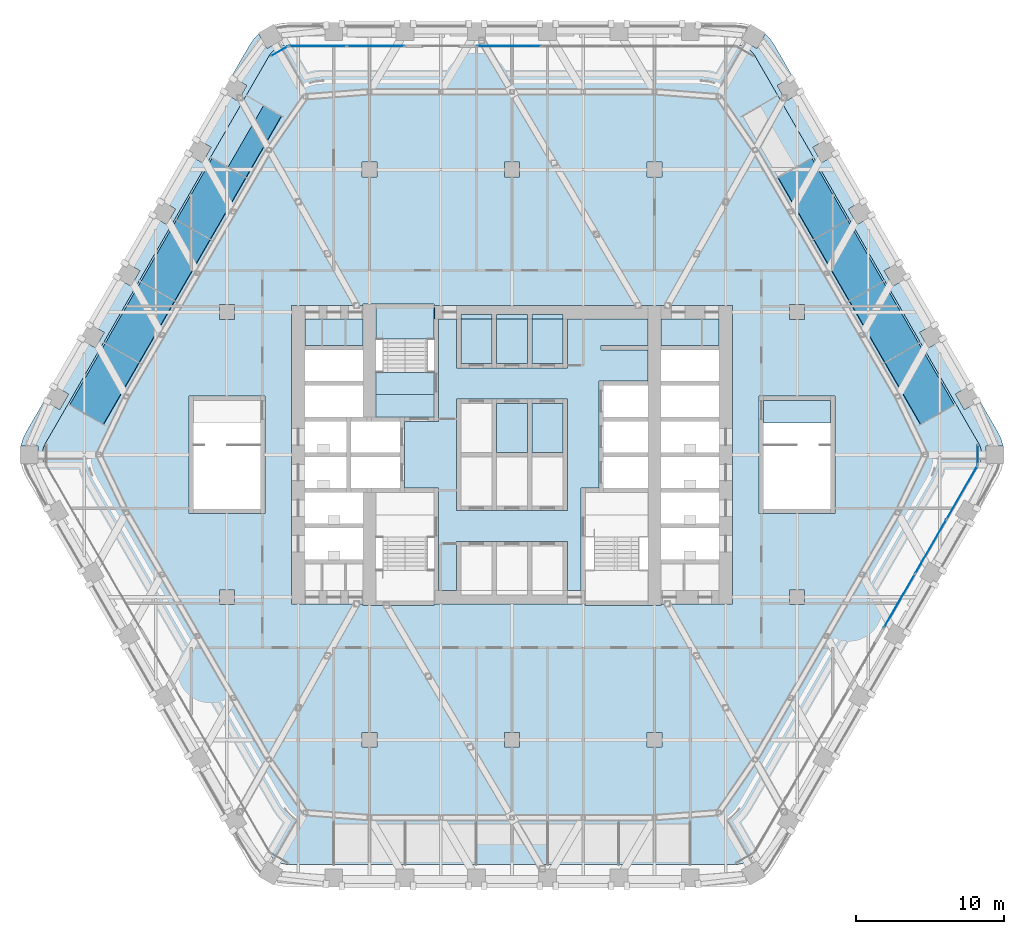
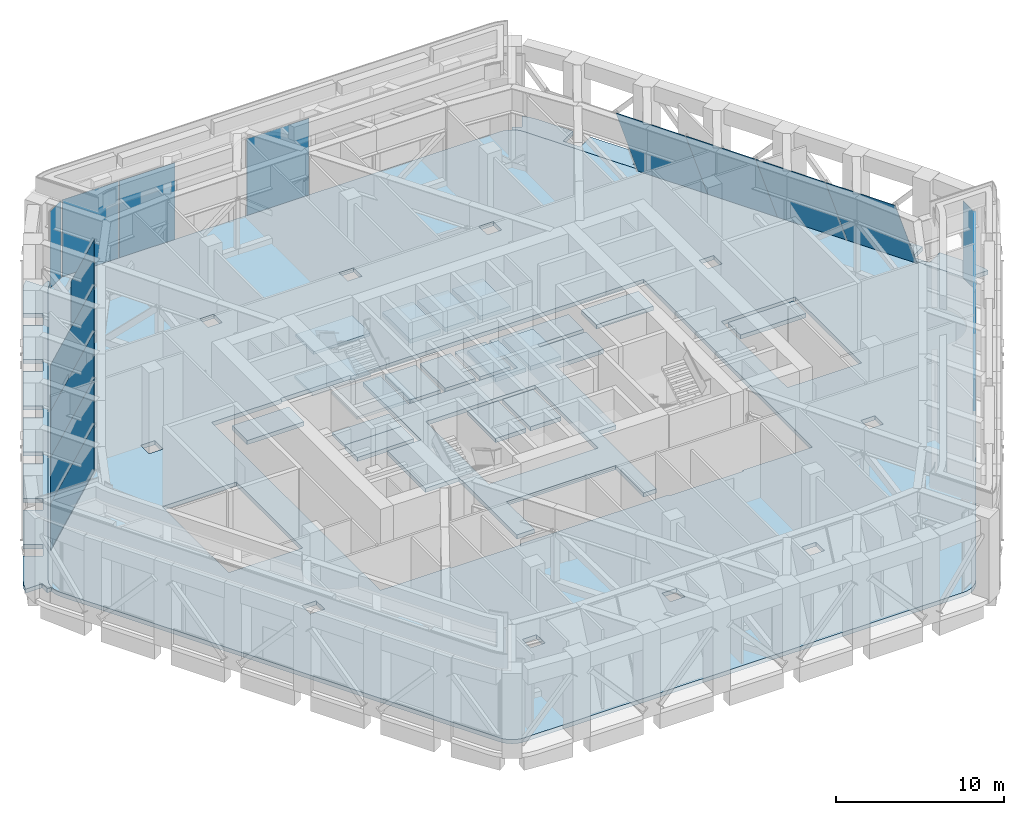
# One storey, part 14 of 27: 22 slabs, 17 plates, 8 elements without a shape of their own.
"""IFC4 building model written with IfcOpenShell, lengths in metres."""

import ifcopenshell
import ifcopenshell.guid

model = None  # the IFC model being written
_history = None  # IfcOwnerHistory: only IFC2X3 demands one
_inside = {}  # id of a spatial element -> (the spatial element, [elements in it])
_under = {}  # id of a project, library or spatial element -> (it, [spatial elements below it])
_declared = {}  # id of a project -> (the project, [libraries it declares])
_typed = {}  # id of a type object -> (the type object, [elements of that type])
_made_of = {}  # id of a material, layer set ... -> (it, [elements and type objects made of it])


def new_model(schema):
    """Start an empty IFC model of exactly this schema.

    Asked for "IFC4X3", IfcOpenShell would pick the latest addendum, in which some entities
    have other attributes; the version numbers below select the first issue.
    IFC2X3 requires an IfcOwnerHistory on every rooted entity: one is made here for all.
    """
    global model, _history
    if schema == "IFC4X3":
        model = ifcopenshell.file(schema_version=(4, 3, 0, 0))
    else:
        model = ifcopenshell.file(schema=schema)
    _inside.clear()
    _under.clear()
    _declared.clear()
    _typed.clear()
    _made_of.clear()
    _history = None
    if model.schema == "IFC2X3":
        org = make("IfcOrganization", Name="unknown")
        user = make(
            "IfcPersonAndOrganization",
            ThePerson=make("IfcPerson", FamilyName="unknown"),
            TheOrganization=org,
        )
        app = make(
            "IfcApplication",
            ApplicationDeveloper=org,
            Version="unknown",
            ApplicationFullName="unknown",
            ApplicationIdentifier="unknown",
        )
        _history = make(
            "IfcOwnerHistory",
            OwningUser=user,
            OwningApplication=app,
            ChangeAction="ADDED",
            CreationDate=0,
        )
    return model


def make(cls, **values):
    """One entity of the class cls with the attributes given. An attribute that is None is left unset."""
    return model.create_entity(
        cls, **{name: value for name, value in values.items() if value is not None}
    )


def rooted(cls, **values):
    """An entity with a GlobalId (a new one), such as an element, a storey or a relation."""
    return make(cls, GlobalId=ifcopenshell.guid.new(), OwnerHistory=_history, **values)


def si_unit(unit_type, name, prefix=None):
    """IfcSIUnit, for example si_unit("LENGTHUNIT", "METRE", prefix="MILLI")."""
    return make("IfcSIUnit", UnitType=unit_type, Prefix=prefix, Name=name)


def assignment(units):
    """IfcUnitAssignment: the units of a project."""
    return None if units is None else make("IfcUnitAssignment", Units=units)


def point(xyz):
    """IfcCartesianPoint."""
    return None if xyz is None else make("IfcCartesianPoint", Coordinates=xyz)


def direction(xyz):
    """IfcDirection."""
    return None if xyz is None else make("IfcDirection", DirectionRatios=xyz)


def frame(location, z_axis=None, x_axis=None):
    """IfcAxis2Placement3D, a coordinate frame: its origin and axes. An axis left out is left unset."""
    return make(
        "IfcAxis2Placement3D",
        Location=point(location),
        Axis=direction(z_axis),
        RefDirection=direction(x_axis),
    )


def frame_2d(location, x_axis=None):
    """IfcAxis2Placement2D, a coordinate frame in the plane: its origin and x axis."""
    return make(
        "IfcAxis2Placement2D", Location=point(location), RefDirection=direction(x_axis)
    )


def origin():
    """The frame at (0, 0, 0) with its axes left unset."""
    return frame((0.0, 0.0, 0.0))


def origin_2d():
    """The frame at (0, 0) in the plane with its x axis left unset."""
    return frame_2d((0.0, 0.0))


def place(relative_to, where):
    """IfcLocalPlacement: puts the frame where relative to a parent placement (None: the world)."""
    return make(
        "IfcLocalPlacement", PlacementRelTo=relative_to, RelativePlacement=where
    )


def context(
    kind, dimensions, precision=None, world=None, true_north=None, identifier=None
):
    """IfcGeometricRepresentationContext, for example the 3D "Model" context."""
    return make(
        "IfcGeometricRepresentationContext",
        ContextIdentifier=identifier,
        ContextType=kind,
        CoordinateSpaceDimension=dimensions,
        Precision=precision,
        WorldCoordinateSystem=world,
        TrueNorth=true_north,
    )


def subcontext(parent, identifier, kind, view, scale=None):
    """IfcGeometricRepresentationSubContext, for example "Body" below "Model"."""
    return make(
        "IfcGeometricRepresentationSubContext",
        ContextIdentifier=identifier,
        ContextType=kind,
        ParentContext=parent,
        TargetScale=scale,
        TargetView=view,
    )


def project(units=None, contexts=None):
    """IfcProject with its units and contexts."""
    return rooted(
        "IfcProject",
        Name="project",
        RepresentationContexts=contexts,
        UnitsInContext=assignment(units),
    )


def spatial(cls, under=None, at=None, **own):
    """A site, building, storey or space (cls), placed at a placement, below another one or the project."""
    s = rooted(cls, ObjectPlacement=at, **own)
    if under is not None:
        _under.setdefault(under.id(), (under, []))[1].append(s)
    return s


def polyline(points):
    """IfcPolyline through the points."""
    return make("IfcPolyline", Points=[point(p) for p in points])


def profile(cls, at=None, kind="AREA", **sizes):
    """A parametric profile (cls). Its sizes go by their IFC names, for example OverallWidth=200.0."""
    return make(cls, ProfileType=kind, Position=at, **sizes)


def rectangle(**sizes):
    """IfcRectangleProfileDef."""
    return profile("IfcRectangleProfileDef", **sizes)


def outline(outer, holes=None, kind="AREA"):
    """IfcArbitraryClosedProfileDef: a profile drawn as a closed curve; with holes, ...WithVoids."""
    if holes is None:
        return make("IfcArbitraryClosedProfileDef", ProfileType=kind, OuterCurve=outer)
    return make(
        "IfcArbitraryProfileDefWithVoids",
        ProfileType=kind,
        OuterCurve=outer,
        InnerCurves=holes,
    )


def extrude(swept, where, along, depth):
    """IfcExtrudedAreaSolid: the profile swept, set in the frame where, extruded along a direction by depth."""
    return make(
        "IfcExtrudedAreaSolid",
        SweptArea=swept,
        Position=where,
        ExtrudedDirection=direction(along),
        Depth=depth,
    )


def shape(context_of_items, identifier, shape_type, items):
    """IfcShapeRepresentation: the items that make up one representation, for example the "Body"."""
    return make(
        "IfcShapeRepresentation",
        ContextOfItems=context_of_items,
        RepresentationIdentifier=identifier,
        RepresentationType=shape_type,
        Items=items,
    )


def material(Name=None, Category=None):
    """IfcMaterial."""
    return make("IfcMaterial", Name=Name, Category=Category)


def layer(
    of_material, thickness, ventilated=None, Name=None, Category=None, Priority=None
):
    """IfcMaterialLayer: one layer of a wall or slab, of a material (None: an air gap)."""
    return make(
        "IfcMaterialLayer",
        Material=of_material,
        LayerThickness=thickness,
        IsVentilated=ventilated,
        Name=Name,
        Category=Category,
        Priority=Priority,
    )


def layer_set(layers, Name=None):
    """IfcMaterialLayerSet."""
    return make("IfcMaterialLayerSet", MaterialLayers=layers, LayerSetName=Name)


def made_of(thing, what):
    """Note that an element or type object is made of a material, layer set ...; save() writes the relation."""
    if what is not None:
        _made_of.setdefault(what.id(), (what, []))[1].append(thing)
    return thing


def type_object(cls, material=None, **own):
    """A type object (cls), such as IfcWallType, which elements share."""
    return made_of(rooted(cls, **own), material)


def element(
    cls,
    number,
    at=None,
    inside=None,
    cuts=None,
    type_object=None,
    material=None,
    context=None,
    identifier="Body",
    shape_type=None,
    held_by="IfcProductDefinitionShape",
    body=None,
    shapes=None,
    **own,
):
    """One element of the class cls, such as IfcWall. Its Tag is "e" and its number.

    at: its placement. inside: the storey or other place that contains it. cuts: it is an
    opening in that element (IfcRelVoidsElement). A single representation is given by context,
    identifier, shape_type and body (its items); several are given by shapes. held_by: the class
    of the entity that holds the representations. save() writes the other relations.
    """
    e = rooted(cls, Tag="e%d" % number, ObjectPlacement=at, **own)
    if body is not None:
        shapes = [shape(context, identifier, shape_type, body)]
    if shapes is not None:
        e.Representation = make(held_by, Representations=shapes)
    if inside is not None:
        _inside.setdefault(inside.id(), (inside, []))[1].append(e)
    if cuts is not None:
        rooted(
            "IfcRelVoidsElement", RelatingBuildingElement=cuts, RelatedOpeningElement=e
        )
    if type_object is not None:
        _typed.setdefault(type_object.id(), (type_object, []))[1].append(e)
    return made_of(e, material)


def aggregate(whole, parts):
    """IfcRelAggregates: a whole, such as a stair, and the parts it consists of."""
    return rooted("IfcRelAggregates", RelatingObject=whole, RelatedObjects=parts)


def save(model, path):
    """Write the relations noted so far, then the file.

    IfcRelAggregates (storeys below a building ...), IfcRelContainedInSpatialStructure (elements
    in a storey), IfcRelDefinesByType, IfcRelAssociatesMaterial and IfcRelDeclares: one each for
    every whole, place, type object, material and project.
    """
    for whole, parts in _under.values():
        aggregate(whole, parts)
    for where, things in _inside.values():
        rooted(
            "IfcRelContainedInSpatialStructure",
            RelatedElements=things,
            RelatingStructure=where,
        )
    for kind, things in _typed.values():
        rooted("IfcRelDefinesByType", RelatedObjects=things, RelatingType=kind)
    for what, things in _made_of.values():
        rooted("IfcRelAssociatesMaterial", RelatedObjects=things, RelatingMaterial=what)
    for by, libraries in _declared.values():
        rooted("IfcRelDeclares", RelatingContext=by, RelatedDefinitions=libraries)
    model.write(path)


model = new_model("IFC4")

# Units and contexts
model_context = context("Model", 3, precision=1e-05, world=origin(), true_north=direction((0.0, 1.0)))
body_context = subcontext(model_context, "Body", "Model", "MODEL_VIEW")
ifc_project = project(units=[si_unit("LENGTHUNIT", "METRE"), si_unit("AREAUNIT", "SQUARE_METRE"), si_unit("VOLUMEUNIT", "CUBIC_METRE"), si_unit("PLANEANGLEUNIT", "RADIAN"), si_unit("MASSUNIT", "GRAM", prefix="KILO")], contexts=[model_context])

# Site, building, storey
site_placement = place(None, origin())
site = spatial("IfcSite", under=ifc_project, at=site_placement, CompositionType="ELEMENT")
building_placement = place(site_placement, origin())
building = spatial("IfcBuilding", under=site, at=building_placement, Name="Kolab Exchange Tower", CompositionType="ELEMENT")
storey_placement = place(building_placement, frame((0.0, 0.0, 127.39990234375)))
storey = spatial("IfcBuildingStorey", under=building, at=storey_placement, Name="L25", CompositionType="ELEMENT", Elevation=127.39990234375)

# Curtain wall, plates
ifc_material_1 = material(Name="Aluminium EN AW-6063 T6", Category="aluminium")
curtain_wall_type_1 = type_object("IfcCurtainWallType", Name="CANTED BAND CURTAIN WALL", PredefinedType="NOTDEFINED", material=ifc_material_1)
curtain_wall_1_placement = place(storey_placement, origin())
curtain_wall_1 = element("IfcCurtainWall", 1, at=curtain_wall_1_placement, inside=storey, type_object=curtain_wall_type_1, Name="band/L25/F2", PredefinedType="NOTDEFINED")
ifc_layer_1 = layer(ifc_material_1, 0.031982421875)
ifc_layer_set_1 = layer_set([ifc_layer_1], Name="Aluminium EN AW-6063 T6")
plate_type_1 = type_object("IfcPlateType", Name="CANTED BAND LOUVRE PANEL 32", PredefinedType="CURTAIN_PANEL", material=ifc_layer_set_1)
plate_1_placement = place(storey_placement, frame((20.192626953125, 19.97216796875, 0.0), z_axis=(0.789543411339, 0.455864290648, 0.410863663669), x_axis=(0.500017431331, -0.866015339567, 0.0)))
plate_1 = element("IfcPlate", 2, at=plate_1_placement, type_object=plate_type_1, Name="Band louvre panel", PredefinedType="CURTAIN_PANEL", context=body_context, shape_type="SweptSolid", body=[
    extrude(outline(polyline([(0.0, 0.0), (4.800125623588972, 1.1102230246251565e-16), (4.800032481351556, -6.36181770787622), (-9.314223741605604e-05, -6.36181770787622), (0.0, 0.0)])), origin(), (0.0, 0.0, -1.0), 0.031982421875),
])
plate_2_placement = place(storey_placement, frame((22.5927734375, 15.815185546875, 0.0), z_axis=(0.789563490305, 0.455829512521, 0.410863663873), x_axis=(0.499979284789, -0.866037363387, 0.0)))
plate_2 = element("IfcPlate", 3, at=plate_2_placement, type_object=plate_type_1, Name="Band louvre panel", PredefinedType="CURTAIN_PANEL", context=body_context, shape_type="SweptSolid", body=[
    extrude(outline(polyline([(0.0, 0.0), (4.800003553677277, 0.0), (4.8000255452913905, -6.361817708520049), (2.1991614113848587e-05, -6.361817708520049), (0.0, 0.0)])), origin(), (0.0, 0.0, -1.0), 0.031982421875),
])
plate_3_placement = place(storey_placement, frame((24.99267578125, 11.658203125, 0.0), z_axis=(0.789563490305, 0.455829512521, 0.410863663873), x_axis=(0.499979284789, -0.866037363387, 0.0)))
plate_3 = element("IfcPlate", 4, at=plate_3_placement, type_object=plate_type_1, Name="Band louvre panel", PredefinedType="CURTAIN_PANEL", context=body_context, shape_type="SweptSolid", body=[
    extrude(outline(polyline([(0.0, 0.0), (4.800003553677277, 0.0), (4.8000255452913905, -6.361817708520049), (2.1991614113848587e-05, -6.361817708520049), (0.0, 0.0)])), origin(), (0.0, 0.0, -1.0), 0.031982421875),
])
plate_4_placement = place(storey_placement, frame((27.392578125, 7.501220703125, 0.0), z_axis=(0.789534502145, 0.455872533438, 0.410871638324), x_axis=(0.500030302691, -0.866007907798, -4.7635e-06)))
plate_4 = element("IfcPlate", 5, at=plate_4_placement, type_object=plate_type_1, Name="Band louvre panel", PredefinedType="CURTAIN_PANEL", context=body_context, shape_type="SweptSolid", body=[
    extrude(outline(polyline([(0.0, 0.0), (4.799914195292466, -1.1102230246251565e-16), (4.799966003234158, -6.361867865499385), (-0.00015961977017212692, -6.3618177063122205), (0.0, 0.0)])), origin(), (0.0, 0.0, -1.0), 0.031982421875),
])
aggregate(curtain_wall_1, [plate_1, plate_2, plate_3, plate_4])

curtain_wall_2_placement = place(storey_placement, origin())
curtain_wall_2 = element("IfcCurtainWall", 6, at=curtain_wall_2_placement, inside=storey, type_object=curtain_wall_type_1, Name="band/L25/F6", PredefinedType="NOTDEFINED")
plate_5_placement = place(storey_placement, frame((-29.792724609375, 3.344482421875, 0.0), z_axis=(-0.789534502145, 0.455872533438, 0.410871638324), x_axis=(0.500030302691, 0.866007907798, 4.7635e-06)))
plate_5 = element("IfcPlate", 7, at=plate_5_placement, type_object=plate_type_1, Name="Band louvre panel", PredefinedType="CURTAIN_PANEL", context=body_context, shape_type="SweptSolid", body=[
    extrude(outline(polyline([(0.0, 0.0), (4.799914195292466, 1.1102230246251565e-16), (4.800073815062638, -6.361817706312221), (-5.1807941692648665e-05, -6.361867865499385), (0.0, 0.0)])), origin(), (0.0, 0.0, -1.0), 0.031982421875),
])
plate_6_placement = place(storey_placement, frame((-27.392578125, 7.501220703125, 0.0), z_axis=(-0.789563490305, 0.455829512521, 0.410863663873), x_axis=(0.499979284789, 0.866037363387, 0.0)))
plate_6 = element("IfcPlate", 8, at=plate_6_placement, type_object=plate_type_1, Name="Band louvre panel", PredefinedType="CURTAIN_PANEL", context=body_context, shape_type="SweptSolid", body=[
    extrude(outline(polyline([(0.0, 0.0), (4.800003553677277, 0.0), (4.799981562063163, -6.361817708520049), (-2.1991614113848587e-05, -6.361817708520049), (0.0, 0.0)])), origin(), (0.0, 0.0, -1.0), 0.031982421875),
])
plate_7_placement = place(storey_placement, frame((-24.99267578125, 11.658203125, 0.0), z_axis=(-0.789563490305, 0.455829512521, 0.410863663873), x_axis=(0.499979284789, 0.866037363387, 0.0)))
plate_7 = element("IfcPlate", 9, at=plate_7_placement, type_object=plate_type_1, Name="Band louvre panel", PredefinedType="CURTAIN_PANEL", context=body_context, shape_type="SweptSolid", body=[
    extrude(outline(polyline([(0.0, 0.0), (4.800003553677277, 0.0), (4.799981562063163, -6.361817708520049), (-2.1991614113848587e-05, -6.361817708520049), (0.0, 0.0)])), origin(), (0.0, 0.0, -1.0), 0.031982421875),
])
plate_8_placement = place(storey_placement, frame((-22.5927734375, 15.815185546875, 0.0), z_axis=(-0.789543411339, 0.455864290648, 0.410863663669), x_axis=(0.500017431331, 0.866015339567, 0.0)))
plate_8 = element("IfcPlate", 10, at=plate_8_placement, type_object=plate_type_1, Name="Band louvre panel", PredefinedType="CURTAIN_PANEL", context=body_context, shape_type="SweptSolid", body=[
    extrude(outline(polyline([(0.0, 0.0), (4.800125623588972, -1.1102230246251565e-16), (4.800218765826388, -6.361817707876221), (9.314223741605604e-05, -6.36181770787622), (0.0, 0.0)])), origin(), (0.0, 0.0, -1.0), 0.031982421875),
])
plate_9_placement = place(storey_placement, frame((-19.130126953125, 19.358642578125, 2.72265625), z_axis=(-0.789544835727, 0.455832128459, 0.4108966087), x_axis=(0.499988437543, 0.866032079256, -4.763279e-06)))
plate_9 = element("IfcPlate", 11, at=plate_9_placement, type_object=plate_type_1, Name="Band louvre panel", PredefinedType="CURTAIN_PANEL", context=body_context, shape_type="SweptSolid", body=[
    extrude(outline(polyline([(0.0, 0.0), (4.800003553354755, -1.1102230246251565e-16), (4.799878049062552, -3.37553621980711), (8.592932089611523e-05, -3.375486063607756), (0.0, 0.0)])), origin(), (0.0, 0.0, -1.0), 0.031982421875),
])
aggregate(curtain_wall_2, [plate_5, plate_6, plate_7, plate_8, plate_9])

# Slabs
ifc_material_2 = material(Name="Concrete C35/45", Category="concrete")
ifc_layer_2 = layer(ifc_material_2, 0.300048828125)
ifc_layer_set_2 = layer_set([ifc_layer_2], Name="Concrete C35/45")
slab_type_1 = type_object("IfcSlabType", Name="FLOOR SLAB 300", PredefinedType="FLOOR", material=ifc_layer_set_2)
slab_1_placement = place(storey_placement, frame((0.0, 0.0, -0.2998046875)))
element("IfcSlab", 12, at=slab_1_placement, inside=storey, type_object=slab_type_1, Name="slab/L25/floor/0", PredefinedType="FLOOR", context=body_context, shape_type="SweptSolid", body=[
    extrude(outline(polyline([(16.366943359375, -26.848388671875), (31.434814453125, -0.75), (31.54541015625, -0.512939453125), (31.613037109375, -0.260498046875), (31.635986328125, 0.0), (31.613037109375, 0.260498046875), (31.54541015625, 0.512939453125), (31.434814453125, 0.75), (16.366943359375, 26.848388671875), (16.217041015625, 27.062744140625), (16.0322265625, 27.24755859375), (15.81787109375, 27.3974609375), (15.5810546875, 27.508056640625), (15.328369140625, 27.57568359375), (15.06787109375, 27.598388671875), (-15.06787109375, 27.598388671875), (-15.328369140625, 27.57568359375), (-15.5810546875, 27.508056640625), (-15.81787109375, 27.3974609375), (-16.0322265625, 27.24755859375), (-16.217041015625, 27.062744140625), (-16.366943359375, 26.848388671875), (-31.434814453125, 0.75), (-31.54541015625, 0.512939453125), (-31.613037109375, 0.260498046875), (-31.635986328125, 0.0), (-31.613037109375, -0.260498046875), (-31.54541015625, -0.512939453125), (-31.434814453125, -0.75), (-16.366943359375, -26.848388671875), (-16.217041015625, -27.062744140625), (-16.0322265625, -27.24755859375), (-15.81787109375, -27.3974609375), (-15.5810546875, -27.508056640625), (-15.328369140625, -27.57568359375), (-15.06787109375, -27.598388671875), (15.06787109375, -27.598388671875), (15.328369140625, -27.57568359375), (15.5810546875, -27.508056640625), (15.81787109375, -27.3974609375), (16.0322265625, -27.24755859375), (16.217041015625, -27.062744140625), (16.366943359375, -26.848388671875)]), holes=[polyline([(-13.949951171875, -10.050048828125), (-14.85009765625, -10.050048828125), (-14.85009765625, 10.050048828125), (-13.949951171875, 10.050048828125), (-10.050048828125, 10.050048828125), (-10.050048828125, 10.14990234375), (-9.14990234375, 10.14990234375), (-5.25, 10.14990234375), (-5.25, 10.050048828125), (9.14990234375, 10.050048828125), (10.050048828125, 10.050048828125), (13.949951171875, 10.050048828125), (14.85009765625, 10.050048828125), (14.85009765625, -10.050048828125), (13.949951171875, -10.050048828125), (10.050048828125, -10.050048828125), (10.050048828125, -10.14990234375), (9.14990234375, -10.14990234375), (4.949951171875, -10.14990234375), (4.949951171875, -10.050048828125), (-5.25, -10.050048828125), (-5.25, -10.14990234375), (-9.14990234375, -10.14990234375), (-10.050048828125, -10.14990234375), (-10.050048828125, -10.050048828125), (-13.949951171875, -10.050048828125)]), polyline([(-18.699951171875, -9.10009765625), (-18.699951171875, -10.10009765625), (-19.699951171875, -10.10009765625), (-19.699951171875, -9.10009765625), (-18.699951171875, -9.10009765625)]), polyline([(-21.449951171875, -3.949951171875), (-21.75, -3.949951171875), (-21.75, 3.949951171875), (-21.449951171875, 3.949951171875), (-16.949951171875, 3.949951171875), (-16.64990234375, 3.949951171875), (-16.64990234375, -3.949951171875), (-16.949951171875, -3.949951171875), (-21.449951171875, -3.949951171875)]), polyline([(-18.699951171875, 10.10009765625), (-18.699951171875, 9.10009765625), (-19.699951171875, 9.10009765625), (-19.699951171875, 10.10009765625), (-18.699951171875, 10.10009765625)]), polyline([(-9.10009765625, -18.699951171875), (-9.10009765625, -19.699951171875), (-10.10009765625, -19.699951171875), (-10.10009765625, -18.699951171875), (-9.10009765625, -18.699951171875)]), polyline([(-9.10009765625, 19.699951171875), (-9.10009765625, 18.699951171875), (-10.10009765625, 18.699951171875), (-10.10009765625, 19.699951171875), (-9.10009765625, 19.699951171875)]), polyline([(9.10009765625, -18.699951171875), (10.10009765625, -18.699951171875), (10.10009765625, -19.699951171875), (9.10009765625, -19.699951171875), (9.10009765625, -18.699951171875)]), polyline([(-0.5, -18.699951171875), (0.5, -18.699951171875), (0.5, -19.699951171875), (-0.5, -19.699951171875), (-0.5, -18.699951171875)]), polyline([(0.5, 19.699951171875), (0.5, 18.699951171875), (-0.5, 18.699951171875), (-0.5, 19.699951171875), (0.5, 19.699951171875)]), polyline([(10.10009765625, 19.699951171875), (10.10009765625, 18.699951171875), (9.10009765625, 18.699951171875), (9.10009765625, 19.699951171875), (10.10009765625, 19.699951171875)]), polyline([(19.699951171875, -9.10009765625), (19.699951171875, -10.10009765625), (18.699951171875, -10.10009765625), (18.699951171875, -9.10009765625), (19.699951171875, -9.10009765625)]), polyline([(21.449951171875, 3.949951171875), (21.75, 3.949951171875), (21.75, -3.949951171875), (21.449951171875, -3.949951171875), (16.949951171875, -3.949951171875), (16.64990234375, -3.949951171875), (16.64990234375, 3.949951171875), (16.949951171875, 3.949951171875), (21.449951171875, 3.949951171875)]), polyline([(19.699951171875, 10.10009765625), (19.699951171875, 9.10009765625), (18.699951171875, 9.10009765625), (18.699951171875, 10.10009765625), (19.699951171875, 10.10009765625)])]), origin(), (0.0, 0.0, 1.0), 0.2998046875),
])
slab_2_placement = place(storey_placement, frame((0.0, 0.0, -0.2998046875)))
element("IfcSlab", 13, at=slab_2_placement, inside=storey, type_object=slab_type_1, Name="slab/L25/floor/1", PredefinedType="FLOOR", context=body_context, shape_type="SweptSolid", body=[
    extrude(outline(polyline([(-4.949951171875, 9.14990234375), (-4.949951171875, 2.25), (-5.25, 2.25), (-7.25, 2.25), (-7.25, -2.25), (-5.25, -2.25), (-4.949951171875, -2.25), (-4.949951171875, -9.14990234375), (-3.75, -9.14990234375), (-3.75, -5.85009765625), (-3.449951171875, -5.85009765625), (-1.35009765625, -5.85009765625), (-1.050048828125, -5.85009765625), (1.050048828125, -5.85009765625), (1.35009765625, -5.85009765625), (3.449951171875, -5.85009765625), (3.75, -5.85009765625), (3.75, -9.14990234375), (4.64990234375, -9.14990234375), (4.64990234375, -2.25), (4.949951171875, -2.25), (5.85009765625, -2.25), (5.85009765625, 4.949951171875), (6.14990234375, 4.949951171875), (9.14990234375, 4.949951171875), (9.14990234375, 7.050048828125), (6.0, 7.050048828125), (6.0, 7.35009765625), (9.14990234375, 7.35009765625), (9.14990234375, 9.14990234375), (3.75, 9.14990234375), (3.75, 5.85009765625), (3.449951171875, 5.85009765625), (1.35009765625, 5.85009765625), (1.050048828125, 5.85009765625), (-1.050048828125, 5.85009765625), (-1.35009765625, 5.85009765625), (-3.449951171875, 5.85009765625), (-3.75, 5.85009765625), (-3.75, 9.14990234375), (-4.949951171875, 9.14990234375)]), holes=[polyline([(-3.75, -3.75), (-3.75, 3.75), (-3.449951171875, 3.75), (-1.35009765625, 3.75), (-1.050048828125, 3.75), (1.050048828125, 3.75), (1.35009765625, 3.75), (3.449951171875, 3.75), (3.75, 3.75), (3.75, -3.75), (3.449951171875, -3.75), (1.35009765625, -3.75), (1.050048828125, -3.75), (-1.050048828125, -3.75), (-1.35009765625, -3.75), (-3.449951171875, -3.75), (-3.75, -3.75)])]), origin(), (0.0, 0.0, 1.0), 0.2998046875),
])
slab_3_placement = place(storey_placement, frame((0.0, 0.0, -0.2998046875)))
element("IfcSlab", 14, at=slab_3_placement, inside=storey, type_object=slab_type_1, Name="slab/L25/floor/3", PredefinedType="FLOOR", context=body_context, shape_type="SweptSolid", body=[
    extrude(outline(polyline([(-10.050048828125, 9.14990234375), (-13.949951171875, 9.14990234375), (-13.949951171875, 7.35009765625), (-10.050048828125, 7.35009765625), (-10.050048828125, 9.14990234375)])), origin(), (0.0, 0.0, 1.0), 0.2998046875),
])
slab_4_placement = place(storey_placement, frame((0.0, 0.0, -0.2998046875)))
element("IfcSlab", 15, at=slab_4_placement, inside=storey, type_object=slab_type_1, Name="slab/L25/floor/5", PredefinedType="FLOOR", context=body_context, shape_type="SweptSolid", body=[
    extrude(outline(polyline([(13.949951171875, 9.14990234375), (10.050048828125, 9.14990234375), (10.050048828125, 7.35009765625), (13.949951171875, 7.35009765625), (13.949951171875, 9.14990234375)])), origin(), (0.0, 0.0, 1.0), 0.2998046875),
])
slab_5_placement = place(storey_placement, frame((0.0, 0.0, -0.2998046875)))
element("IfcSlab", 16, at=slab_5_placement, inside=storey, type_object=slab_type_1, Name="slab/L25/floor/9", PredefinedType="FLOOR", context=body_context, shape_type="SweptSolid", body=[
    extrude(outline(polyline([(-1.050048828125, 3.449951171875), (-1.050048828125, 0.14990234375), (1.050048828125, 0.14990234375), (1.050048828125, 3.449951171875), (-1.050048828125, 3.449951171875)])), origin(), (0.0, 0.0, 1.0), 0.2998046875),
])
slab_6_placement = place(storey_placement, frame((0.0, 0.0, -0.2998046875)))
element("IfcSlab", 17, at=slab_6_placement, inside=storey, type_object=slab_type_1, Name="slab/L25/floor/11", PredefinedType="FLOOR", context=body_context, shape_type="SweptSolid", body=[
    extrude(outline(polyline([(1.35009765625, 0.14990234375), (3.449951171875, 0.14990234375), (3.449951171875, 3.449951171875), (1.35009765625, 3.449951171875), (1.35009765625, 0.14990234375)])), origin(), (0.0, 0.0, 1.0), 0.2998046875),
])
slab_7_placement = place(storey_placement, frame((0.0, 0.0, -0.2998046875)))
element("IfcSlab", 18, at=slab_7_placement, inside=storey, type_object=slab_type_1, Name="slab/L25/floor/13", PredefinedType="FLOOR", context=body_context, shape_type="SweptSolid", body=[
    extrude(outline(polyline([(21.449951171875, 3.64990234375), (16.949951171875, 3.64990234375), (16.949951171875, 2.14990234375), (21.449951171875, 2.14990234375), (21.449951171875, 3.64990234375)])), origin(), (0.0, 0.0, 1.0), 0.2998046875),
])
slab_8_placement = place(storey_placement, frame((0.0, 0.0, -0.2998046875)))
element("IfcSlab", 19, at=slab_8_placement, inside=storey, type_object=slab_type_1, Name="slab/L25/floor/15", PredefinedType="FLOOR", context=body_context, shape_type="SweptSolid", body=[
    extrude(outline(polyline([(-1.35009765625, 6.14990234375), (-1.35009765625, 9.14990234375), (-3.449951171875, 9.14990234375), (-3.449951171875, 6.14990234375), (-1.35009765625, 6.14990234375)])), origin(), (0.0, 0.0, 1.0), 0.2998046875),
])
slab_9_placement = place(storey_placement, frame((0.0, 0.0, -0.2998046875)))
element("IfcSlab", 20, at=slab_9_placement, inside=storey, type_object=slab_type_1, Name="slab/L25/floor/17", PredefinedType="FLOOR", context=body_context, shape_type="SweptSolid", body=[
    extrude(outline(polyline([(-1.050048828125, 9.14990234375), (-1.050048828125, 6.14990234375), (1.050048828125, 6.14990234375), (1.050048828125, 9.14990234375), (-1.050048828125, 9.14990234375)])), origin(), (0.0, 0.0, 1.0), 0.2998046875),
])
slab_10_placement = place(storey_placement, frame((0.0, 0.0, -0.2998046875)))
element("IfcSlab", 21, at=slab_10_placement, inside=storey, type_object=slab_type_1, Name="slab/L25/floor/19", PredefinedType="FLOOR", context=body_context, shape_type="SweptSolid", body=[
    extrude(outline(polyline([(1.35009765625, 6.14990234375), (3.449951171875, 6.14990234375), (3.449951171875, 9.14990234375), (1.35009765625, 9.14990234375), (1.35009765625, 6.14990234375)])), origin(), (0.0, 0.0, 1.0), 0.2998046875),
])
slab_11_placement = place(storey_placement, frame((0.0, 0.0, -0.2998046875)))
element("IfcSlab", 22, at=slab_11_placement, inside=storey, type_object=slab_type_1, Name="slab/L25/floor/22", PredefinedType="FLOOR", context=body_context, shape_type="SweptSolid", body=[
    extrude(outline(polyline([(-5.25, 4.050048828125), (-9.14990234375, 4.050048828125), (-9.14990234375, 2.550048828125), (-7.550048828125, 2.550048828125), (-7.25, 2.550048828125), (-5.25, 2.550048828125), (-5.25, 4.050048828125)])), origin(), (0.0, 0.0, 1.0), 0.2998046875),
])
ifc_layer_3 = layer(ifc_material_2, 0.300048828125)
ifc_layer_set_3 = layer_set([ifc_layer_3], Name="Concrete C35/45")
slab_type_2 = type_object("IfcSlabType", Name="LIFT PIT SLAB 300", PredefinedType="FLOOR", material=ifc_layer_set_3)
slab_12_placement = place(storey_placement, frame((0.0, 0.0, 4.10009765625)))
element("IfcSlab", 23, at=slab_12_placement, inside=storey, type_object=slab_type_2, Name="slab/L25/pit/HR1", PredefinedType="FLOOR", context=body_context, shape_type="SweptSolid", body=[
    extrude(outline(polyline([(-3.449951171875, 6.14990234375), (-1.35009765625, 6.14990234375), (-1.35009765625, 9.449951171875), (-3.449951171875, 9.449951171875), (-3.449951171875, 6.14990234375)])), origin(), (0.0, 0.0, 1.0), 0.300048828125),
])
slab_13_placement = place(storey_placement, frame((0.0, 0.0, 4.10009765625)))
element("IfcSlab", 24, at=slab_13_placement, inside=storey, type_object=slab_type_2, Name="slab/L25/pit/HR2", PredefinedType="FLOOR", context=body_context, shape_type="SweptSolid", body=[
    extrude(outline(polyline([(-1.050048828125, 6.14990234375), (1.050048828125, 6.14990234375), (1.050048828125, 9.449951171875), (-1.050048828125, 9.449951171875), (-1.050048828125, 6.14990234375)])), origin(), (0.0, 0.0, 1.0), 0.300048828125),
])
slab_14_placement = place(storey_placement, frame((0.0, 0.0, 4.10009765625)))
element("IfcSlab", 25, at=slab_14_placement, inside=storey, type_object=slab_type_2, Name="slab/L25/pit/HR3", PredefinedType="FLOOR", context=body_context, shape_type="SweptSolid", body=[
    extrude(outline(polyline([(1.35009765625, 6.14990234375), (3.449951171875, 6.14990234375), (3.449951171875, 9.449951171875), (1.35009765625, 9.449951171875), (1.35009765625, 6.14990234375)])), origin(), (0.0, 0.0, 1.0), 0.300048828125),
])
slab_15_placement = place(storey_placement, frame((0.0, 0.0, 4.10009765625)))
element("IfcSlab", 26, at=slab_15_placement, inside=storey, type_object=slab_type_2, Name="slab/L25/pit/HR5", PredefinedType="FLOOR", context=body_context, shape_type="SweptSolid", body=[
    extrude(outline(polyline([(-1.050048828125, 0.14990234375), (1.050048828125, 0.14990234375), (1.050048828125, 3.449951171875), (-1.050048828125, 3.449951171875), (-1.050048828125, 0.14990234375)])), origin(), (0.0, 0.0, 1.0), 0.300048828125),
])
slab_16_placement = place(storey_placement, frame((0.0, 0.0, 4.10009765625)))
element("IfcSlab", 27, at=slab_16_placement, inside=storey, type_object=slab_type_2, Name="slab/L25/pit/HR6", PredefinedType="FLOOR", context=body_context, shape_type="SweptSolid", body=[
    extrude(outline(polyline([(1.35009765625, 0.14990234375), (3.449951171875, 0.14990234375), (3.449951171875, 3.449951171875), (1.35009765625, 3.449951171875), (1.35009765625, 0.14990234375)])), origin(), (0.0, 0.0, 1.0), 0.300048828125),
])
ifc_layer_4 = layer(ifc_material_2, 0.300048828125)
ifc_layer_set_4 = layer_set([ifc_layer_4], Name="Concrete C35/45")
slab_type_3 = type_object("IfcSlabType", Name="LOGGIA SLAB 300", PredefinedType="FLOOR", material=ifc_layer_set_4)
slab_17_placement = place(storey_placement, frame((0.0, 0.0, -0.2998046875)))
element("IfcSlab", 28, at=slab_17_placement, inside=storey, type_object=slab_type_3, Name="slab/L25/loggia/1-0", PredefinedType="FLOOR", context=body_context, shape_type="SweptSolid", body=[
    extrude(outline(polyline([(31.635986328125, 0.0), (31.935791015625, 0.0), (31.935791015625, 0.60009765625), (33.069091796875, 0.60009765625), (32.955078125, 1.026123046875), (32.73388671875, 1.5), (31.5, 3.63720703125), (30.460693359375, 3.037353515625), (29.86083984375, 4.076416015625), (30.89990234375, 4.676513671875), (29.10009765625, 7.794189453125), (28.060791015625, 7.1943359375), (27.460693359375, 8.2333984375), (28.5, 8.83349609375), (26.699951171875, 11.951171875), (25.660888671875, 11.35107421875), (25.060791015625, 12.390380859375), (26.10009765625, 12.990478515625), (24.300048828125, 16.108154296875), (23.2607421875, 15.508056640625), (22.660888671875, 16.54736328125), (23.699951171875, 17.147216796875), (21.89990234375, 20.264892578125), (20.86083984375, 19.6650390625), (20.2607421875, 20.704345703125), (21.300048828125, 21.30419921875), (19.5, 24.421875), (18.460693359375, 23.822021484375), (17.86083984375, 24.861083984375), (18.89990234375, 25.461181640625), (17.666015625, 27.598388671875), (17.365966796875, 28.02685546875), (17.05419921875, 28.338623046875), (16.487548828125, 27.357177734375), (15.968017578125, 27.6572265625), (15.81787109375, 27.3974609375), (16.0322265625, 27.24755859375), (16.217041015625, 27.062744140625), (16.366943359375, 26.848388671875), (31.434814453125, 0.75), (31.54541015625, 0.512939453125), (31.613037109375, 0.260498046875), (31.635986328125, 0.0)])), origin(), (0.0, 0.0, 1.0), 0.2998046875),
])
slab_18_placement = place(storey_placement, frame((0.0, 0.0, -0.2998046875)))
element("IfcSlab", 29, at=slab_18_placement, inside=storey, type_object=slab_type_3, Name="slab/L25/loggia/5-0", PredefinedType="FLOOR", context=body_context, shape_type="SweptSolid", body=[
    extrude(outline(polyline([(-15.81787109375, 27.3974609375), (-15.968017578125, 27.6572265625), (-16.487548828125, 27.357177734375), (-17.05419921875, 28.338623046875), (-17.365966796875, 28.02685546875), (-17.666015625, 27.598388671875), (-18.89990234375, 25.461181640625), (-17.86083984375, 24.861083984375), (-18.460693359375, 23.822021484375), (-19.5, 24.421875), (-21.300048828125, 21.30419921875), (-20.2607421875, 20.704345703125), (-20.86083984375, 19.6650390625), (-21.89990234375, 20.264892578125), (-23.699951171875, 17.147216796875), (-22.660888671875, 16.54736328125), (-23.2607421875, 15.508056640625), (-24.300048828125, 16.108154296875), (-26.10009765625, 12.990478515625), (-25.060791015625, 12.390380859375), (-25.660888671875, 11.35107421875), (-26.699951171875, 11.951171875), (-28.5, 8.83349609375), (-27.460693359375, 8.2333984375), (-28.060791015625, 7.1943359375), (-29.10009765625, 7.794189453125), (-30.89990234375, 4.676513671875), (-29.86083984375, 4.076416015625), (-30.460693359375, 3.037353515625), (-31.5, 3.63720703125), (-32.73388671875, 1.5), (-32.955078125, 1.026123046875), (-33.069091796875, 0.60009765625), (-31.935791015625, 0.60009765625), (-31.935791015625, 0.0), (-31.635986328125, 0.0), (-31.613037109375, 0.260498046875), (-31.54541015625, 0.512939453125), (-31.434814453125, 0.75), (-16.366943359375, 26.848388671875), (-16.217041015625, 27.062744140625), (-16.0322265625, 27.24755859375), (-15.81787109375, 27.3974609375)])), origin(), (0.0, 0.0, 1.0), 0.2998046875),
])

# Stair, slabs
ifc_material_3 = material(Name="Concrete C50/60", Category="concrete")
stair_type = type_object("IfcStairType", Name="STAIR ST1 RISER 166.7", PredefinedType="DOUBLE_RETURN_STAIR", material=ifc_material_3)
stair_placement = place(storey_placement, origin())
stair = element("IfcStair", 30, at=stair_placement, inside=storey, type_object=stair_type, Name="Stair 1", PredefinedType="DOUBLE_RETURN_STAIR")
ifc_layer_5 = layer(ifc_material_3, 0.199951171875)
ifc_layer_set_5 = layer_set([ifc_layer_5], Name="Concrete C50/60")
slab_type_4 = type_object("IfcSlabType", Name="STAIR LANDING 200", PredefinedType="LANDING", material=ifc_layer_set_5)
slab_19_placement = place(storey_placement, frame((0.0, 0.0, -0.199951171875)))
slab_19 = element("IfcSlab", 31, at=slab_19_placement, type_object=slab_type_4, Name="ST1 landing 1", PredefinedType="LANDING", context=body_context, shape_type="SweptSolid", body=[
    extrude(outline(polyline([(-9.14990234375, 4.050048828125), (-5.25, 4.050048828125), (-5.25, 5.550048828125), (-9.14990234375, 5.550048828125), (-9.14990234375, 4.050048828125)])), origin(), (0.0, 0.0, 1.0), 0.199951171875),
])
slab_20_placement = place(storey_placement, frame((0.0, 0.0, 1.300048828125)))
slab_20 = element("IfcSlab", 32, at=slab_20_placement, type_object=slab_type_4, Name="ST1 landing 2", PredefinedType="LANDING", context=body_context, shape_type="SweptSolid", body=[
    extrude(outline(polyline([(-9.2099609375, 7.7900390625), (-5.18994140625, 7.7900390625), (-5.18994140625, 9.909912109375), (-9.2099609375, 9.909912109375), (-9.2099609375, 7.7900390625)])), origin(), (0.0, 0.0, 1.0), 0.199951171875),
])
slab_21_placement = place(storey_placement, frame((0.0, 0.0, 2.800048828125)))
slab_21 = element("IfcSlab", 33, at=slab_21_placement, type_object=slab_type_4, Name="ST1 landing 3", PredefinedType="LANDING", context=body_context, shape_type="SweptSolid", body=[
    extrude(outline(polyline([(-9.2099609375, 2.489990234375), (-5.18994140625, 2.489990234375), (-5.18994140625, 5.550048828125), (-9.2099609375, 5.550048828125), (-9.2099609375, 2.489990234375)])), origin(), (0.0, 0.0, 1.0), 0.199951171875),
])
slab_22_placement = place(storey_placement, frame((0.0, 0.0, 4.300048828125)))
slab_22 = element("IfcSlab", 34, at=slab_22_placement, type_object=slab_type_4, Name="ST1 landing 4", PredefinedType="LANDING", context=body_context, shape_type="SweptSolid", body=[
    extrude(outline(polyline([(-9.14990234375, 7.7900390625), (-5.25, 7.7900390625), (-5.25, 9.909912109375), (-9.14990234375, 9.909912109375), (-9.14990234375, 7.7900390625)])), origin(), (0.0, 0.0, 1.0), 0.199951171875),
])
aggregate(stair, [slab_19, slab_20, slab_21, slab_22])

# Curtain wall, plates
curtain_wall_type_2 = type_object("IfcCurtainWallType", Name="UNITISED LOWER MID ZONE BELT CURTAIN WALL", PredefinedType="NOTDEFINED", material=ifc_material_1)
curtain_wall_3_placement = place(storey_placement, origin())
curtain_wall_3 = element("IfcCurtainWall", 35, at=curtain_wall_3_placement, inside=storey, type_object=curtain_wall_type_2, Name="cw/L25/F1-1", PredefinedType="NOTDEFINED")
ifc_layer_6 = layer(ifc_material_1, 0.02587890625)
ifc_layer_set_6 = layer_set([ifc_layer_6], Name="Aluminium EN AW-6063 T6")
plate_type_2 = type_object("IfcPlateType", Name="UNITISED LOWER MID ZONE BELT LOUVRE PANEL 26", PredefinedType="CURTAIN_PANEL", material=ifc_layer_set_6)
plate_10_placement = place(storey_placement, frame((-13.0859375, 27.5185546875, 0.06005859375), z_axis=(0.0, 0.0, 1.0), x_axis=(1.0, 0.0, 0.0)))
plate_10 = element("IfcPlate", 36, at=plate_10_placement, type_object=plate_type_2, Name="CW10 panel 1.1", PredefinedType="CURTAIN_PANEL", context=body_context, shape_type="SweptSolid", body=[
    extrude(rectangle(XDim=3.843994140625, YDim=0.02587890625, at=origin_2d()), origin(), (0.0, 0.0, 1.0), 5.580078125),
])
plate_11_placement = place(storey_placement, frame((-9.181884765625, 27.5185546875, 0.06005859375), z_axis=(0.0, 0.0, 1.0), x_axis=(1.0, 0.0, 0.0)))
plate_11 = element("IfcPlate", 37, at=plate_11_placement, type_object=plate_type_2, Name="CW10 panel 2.1", PredefinedType="CURTAIN_PANEL", context=body_context, shape_type="SweptSolid", body=[
    extrude(rectangle(XDim=3.843994140625, YDim=0.02587890625, at=origin_2d()), origin(), (0.0, 0.0, 1.0), 5.580078125),
])
aggregate(curtain_wall_3, [plate_10, plate_11])

# Curtain wall, plate
curtain_wall_4_placement = place(storey_placement, origin())
curtain_wall_4 = element("IfcCurtainWall", 38, at=curtain_wall_4_placement, inside=storey, type_object=curtain_wall_type_2, Name="cw/L25/F1-2", PredefinedType="NOTDEFINED")
plate_12_placement = place(storey_placement, frame((-0.201416015625, 27.5185546875, 0.06005859375), z_axis=(0.0, 0.0, 1.0), x_axis=(1.0, 0.0, 0.0)))
plate_12 = element("IfcPlate", 39, at=plate_12_placement, type_object=plate_type_2, Name="CW10 panel 1.1", PredefinedType="CURTAIN_PANEL", context=body_context, shape_type="SweptSolid", body=[
    extrude(rectangle(XDim=4.277099609375, YDim=0.02587890625, at=origin_2d()), origin(), (0.0, 0.0, 1.0), 5.580078125),
])
aggregate(curtain_wall_4, [plate_12])

# Curtain wall, plates
curtain_wall_5_placement = place(storey_placement, origin())
curtain_wall_5 = element("IfcCurtainWall", 40, at=curtain_wall_5_placement, inside=storey, type_object=curtain_wall_type_2, Name="cw/L25/F3-1", PredefinedType="NOTDEFINED")
plate_13_placement = place(storey_placement, frame((30.302490234375, -2.551513671875, 0.06005859375), z_axis=(0.0, 0.0, 1.0), x_axis=(-0.499999958358, -0.866025427826, 0.0)))
plate_13 = element("IfcPlate", 41, at=plate_13_placement, type_object=plate_type_2, Name="CW10 panel 1.1", PredefinedType="CURTAIN_PANEL", context=body_context, shape_type="SweptSolid", body=[
    extrude(rectangle(XDim=4.132568359375, YDim=0.02587890625, at=origin_2d()), origin(), (0.0, 0.0, 1.0), 5.580078125),
])
plate_14_placement = place(storey_placement, frame((28.19873046875, -6.1953125, 0.06005859375), z_axis=(0.0, 0.0, 1.0), x_axis=(-0.499999958358, -0.866025427826, 0.0)))
plate_14 = element("IfcPlate", 42, at=plate_14_placement, type_object=plate_type_2, Name="CW10 panel 2.1", PredefinedType="CURTAIN_PANEL", context=body_context, shape_type="SweptSolid", body=[
    extrude(rectangle(XDim=4.16259765625, YDim=0.02587890625, at=origin_2d()), origin(), (0.0, 0.0, 1.0), 5.580078125),
])
plate_15_placement = place(storey_placement, frame((26.0947265625, -9.83935546875, 0.06005859375), z_axis=(0.0, 0.0, 1.0), x_axis=(-0.499999958358, -0.866025427826, 0.0)))
plate_15 = element("IfcPlate", 43, at=plate_15_placement, type_object=plate_type_2, Name="CW10 panel 3.1", PredefinedType="CURTAIN_PANEL", context=body_context, shape_type="SweptSolid", body=[
    extrude(rectangle(XDim=4.132568359375, YDim=0.02587890625, at=origin_2d()), origin(), (0.0, 0.0, 1.0), 5.580078125),
])
aggregate(curtain_wall_5, [plate_13, plate_14, plate_15])

# Curtain wall, plate
curtain_wall_6_placement = place(storey_placement, origin())
curtain_wall_6 = element("IfcCurtainWall", 44, at=curtain_wall_6_placement, inside=storey, type_object=curtain_wall_type_2, Name="cw/L25/F2F3-corner", PredefinedType="NOTDEFINED")
plate_16_placement = place(storey_placement, frame((31.36572265625, 0.0, 0.06005859375), z_axis=(0.0, 0.0, 1.0), x_axis=(0.0, -1.0, 0.0)))
plate_16 = element("IfcPlate", 45, at=plate_16_placement, type_object=plate_type_2, Name="CW10 panel 1.1", PredefinedType="CURTAIN_PANEL", context=body_context, shape_type="SweptSolid", body=[
    extrude(rectangle(XDim=1.300048828125, YDim=0.02587890625, at=origin_2d()), origin(), (0.0, 0.0, 1.0), 5.580078125),
])
aggregate(curtain_wall_6, [plate_16])

curtain_wall_7_placement = place(storey_placement, origin())
curtain_wall_7 = element("IfcCurtainWall", 46, at=curtain_wall_7_placement, inside=storey, type_object=curtain_wall_type_2, Name="cw/L25/F6F1-corner", PredefinedType="NOTDEFINED")
plate_17_placement = place(storey_placement, frame((-15.682861328125, 27.16357421875, 0.06005859375), z_axis=(0.0, 0.0, 1.0), x_axis=(0.866025390869, 0.50000002237, 0.0)))
plate_17 = element("IfcPlate", 47, at=plate_17_placement, type_object=plate_type_2, Name="CW10 panel 1.1", PredefinedType="CURTAIN_PANEL", context=body_context, shape_type="SweptSolid", body=[
    extrude(rectangle(XDim=1.300048828125, YDim=0.02587890625, at=origin_2d()), origin(), (0.0, 0.0, 1.0), 5.580078125),
])
aggregate(curtain_wall_7, [plate_17])

save(model, "model.ifc")
